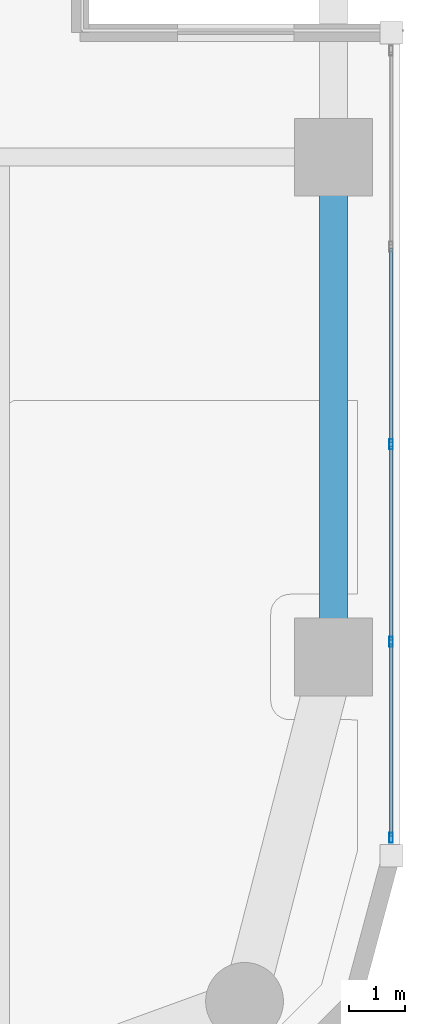
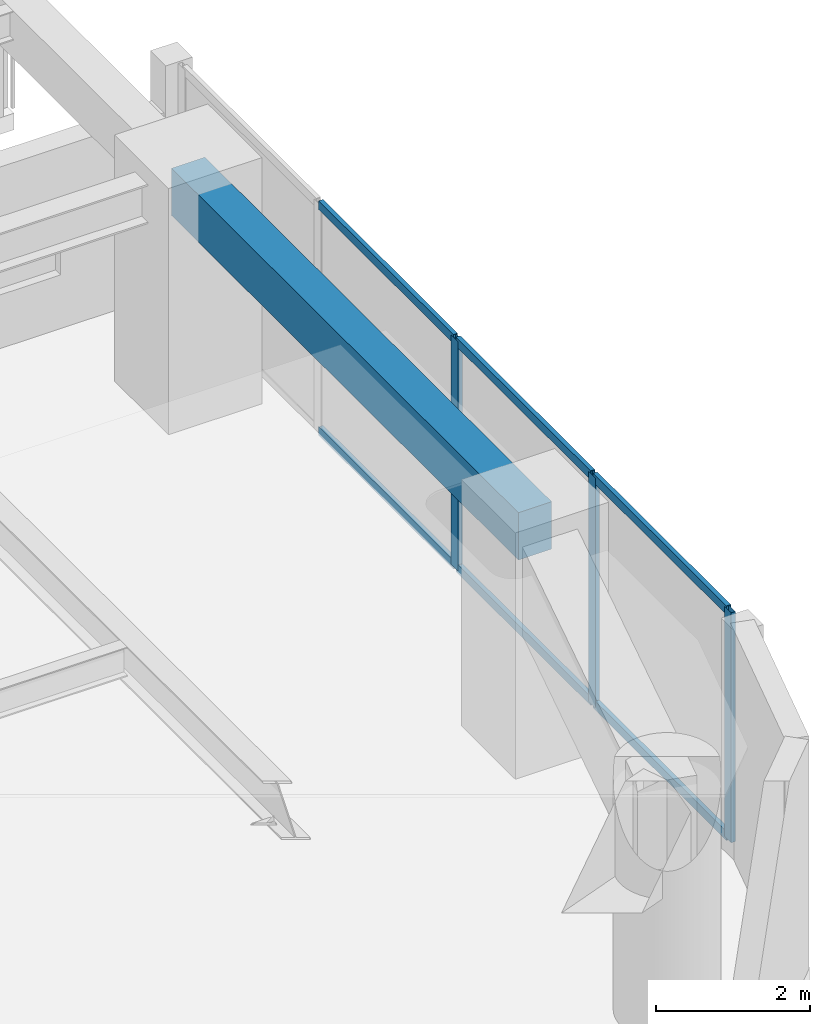
# One storey, part 4 of 24: 9 members, 1 beam, 1 element without a shape of its own.
"""IFC4 building model written with IfcOpenShell, lengths in metres."""

import ifcopenshell
import ifcopenshell.guid

model = None  # the IFC model being written
_history = None  # IfcOwnerHistory: only IFC2X3 demands one
_inside = {}  # id of a spatial element -> (the spatial element, [elements in it])
_under = {}  # id of a project, library or spatial element -> (it, [spatial elements below it])
_declared = {}  # id of a project -> (the project, [libraries it declares])
_typed = {}  # id of a type object -> (the type object, [elements of that type])
_made_of = {}  # id of a material, layer set ... -> (it, [elements and type objects made of it])


def new_model(schema):
    """Start an empty IFC model of exactly this schema.

    Asked for "IFC4X3", IfcOpenShell would pick the latest addendum, in which some entities
    have other attributes; the version numbers below select the first issue.
    IFC2X3 requires an IfcOwnerHistory on every rooted entity: one is made here for all.
    """
    global model, _history
    if schema == "IFC4X3":
        model = ifcopenshell.file(schema_version=(4, 3, 0, 0))
    else:
        model = ifcopenshell.file(schema=schema)
    _inside.clear()
    _under.clear()
    _declared.clear()
    _typed.clear()
    _made_of.clear()
    _history = None
    if model.schema == "IFC2X3":
        org = make("IfcOrganization", Name="unknown")
        user = make(
            "IfcPersonAndOrganization",
            ThePerson=make("IfcPerson", FamilyName="unknown"),
            TheOrganization=org,
        )
        app = make(
            "IfcApplication",
            ApplicationDeveloper=org,
            Version="unknown",
            ApplicationFullName="unknown",
            ApplicationIdentifier="unknown",
        )
        _history = make(
            "IfcOwnerHistory",
            OwningUser=user,
            OwningApplication=app,
            ChangeAction="ADDED",
            CreationDate=0,
        )
    return model


def make(cls, **values):
    """One entity of the class cls with the attributes given. An attribute that is None is left unset."""
    return model.create_entity(
        cls, **{name: value for name, value in values.items() if value is not None}
    )


def rooted(cls, **values):
    """An entity with a GlobalId (a new one), such as an element, a storey or a relation."""
    return make(cls, GlobalId=ifcopenshell.guid.new(), OwnerHistory=_history, **values)


def si_unit(unit_type, name, prefix=None):
    """IfcSIUnit, for example si_unit("LENGTHUNIT", "METRE", prefix="MILLI")."""
    return make("IfcSIUnit", UnitType=unit_type, Prefix=prefix, Name=name)


def assignment(units):
    """IfcUnitAssignment: the units of a project."""
    return None if units is None else make("IfcUnitAssignment", Units=units)


def point(xyz):
    """IfcCartesianPoint."""
    return None if xyz is None else make("IfcCartesianPoint", Coordinates=xyz)


def direction(xyz):
    """IfcDirection."""
    return None if xyz is None else make("IfcDirection", DirectionRatios=xyz)


def frame(location, z_axis=None, x_axis=None):
    """IfcAxis2Placement3D, a coordinate frame: its origin and axes. An axis left out is left unset."""
    return make(
        "IfcAxis2Placement3D",
        Location=point(location),
        Axis=direction(z_axis),
        RefDirection=direction(x_axis),
    )


def frame_2d(location, x_axis=None):
    """IfcAxis2Placement2D, a coordinate frame in the plane: its origin and x axis."""
    return make(
        "IfcAxis2Placement2D", Location=point(location), RefDirection=direction(x_axis)
    )


def origin():
    """The frame at (0, 0, 0) with its axes left unset."""
    return frame((0.0, 0.0, 0.0))


def origin_2d():
    """The frame at (0, 0) in the plane with its x axis left unset."""
    return frame_2d((0.0, 0.0))


def place(relative_to, where):
    """IfcLocalPlacement: puts the frame where relative to a parent placement (None: the world)."""
    return make(
        "IfcLocalPlacement", PlacementRelTo=relative_to, RelativePlacement=where
    )


def context(
    kind, dimensions, precision=None, world=None, true_north=None, identifier=None
):
    """IfcGeometricRepresentationContext, for example the 3D "Model" context."""
    return make(
        "IfcGeometricRepresentationContext",
        ContextIdentifier=identifier,
        ContextType=kind,
        CoordinateSpaceDimension=dimensions,
        Precision=precision,
        WorldCoordinateSystem=world,
        TrueNorth=true_north,
    )


def subcontext(parent, identifier, kind, view, scale=None):
    """IfcGeometricRepresentationSubContext, for example "Body" below "Model"."""
    return make(
        "IfcGeometricRepresentationSubContext",
        ContextIdentifier=identifier,
        ContextType=kind,
        ParentContext=parent,
        TargetScale=scale,
        TargetView=view,
    )


def project(units=None, contexts=None):
    """IfcProject with its units and contexts."""
    return rooted(
        "IfcProject",
        Name="project",
        RepresentationContexts=contexts,
        UnitsInContext=assignment(units),
    )


def spatial(cls, under=None, at=None, **own):
    """A site, building, storey or space (cls), placed at a placement, below another one or the project."""
    s = rooted(cls, ObjectPlacement=at, **own)
    if under is not None:
        _under.setdefault(under.id(), (under, []))[1].append(s)
    return s


def profile(cls, at=None, kind="AREA", **sizes):
    """A parametric profile (cls). Its sizes go by their IFC names, for example OverallWidth=200.0."""
    return make(cls, ProfileType=kind, Position=at, **sizes)


def rectangle(**sizes):
    """IfcRectangleProfileDef."""
    return profile("IfcRectangleProfileDef", **sizes)


def hollow_rectangle(**sizes):
    """IfcRectangleHollowProfileDef."""
    return profile("IfcRectangleHollowProfileDef", **sizes)


def extrude(swept, where, along, depth):
    """IfcExtrudedAreaSolid: the profile swept, set in the frame where, extruded along a direction by depth."""
    return make(
        "IfcExtrudedAreaSolid",
        SweptArea=swept,
        Position=where,
        ExtrudedDirection=direction(along),
        Depth=depth,
    )


def shape(context_of_items, identifier, shape_type, items):
    """IfcShapeRepresentation: the items that make up one representation, for example the "Body"."""
    return make(
        "IfcShapeRepresentation",
        ContextOfItems=context_of_items,
        RepresentationIdentifier=identifier,
        RepresentationType=shape_type,
        Items=items,
    )


def material(Name=None, Category=None):
    """IfcMaterial."""
    return make("IfcMaterial", Name=Name, Category=Category)


def layer(
    of_material, thickness, ventilated=None, Name=None, Category=None, Priority=None
):
    """IfcMaterialLayer: one layer of a wall or slab, of a material (None: an air gap)."""
    return make(
        "IfcMaterialLayer",
        Material=of_material,
        LayerThickness=thickness,
        IsVentilated=ventilated,
        Name=Name,
        Category=Category,
        Priority=Priority,
    )


def layer_set(layers, Name=None):
    """IfcMaterialLayerSet."""
    return make("IfcMaterialLayerSet", MaterialLayers=layers, LayerSetName=Name)


def material_profile(
    of_material, cross_section, Name=None, Category=None, Priority=None
):
    """IfcMaterialProfile: a cross section and its material."""
    return make(
        "IfcMaterialProfile",
        Name=Name,
        Material=of_material,
        Profile=cross_section,
        Priority=Priority,
        Category=Category,
    )


def profile_set(profiles, Name=None, composite=None):
    """IfcMaterialProfileSet."""
    return make(
        "IfcMaterialProfileSet",
        Name=Name,
        MaterialProfiles=profiles,
        CompositeProfile=composite,
    )


def made_of(thing, what):
    """Note that an element or type object is made of a material, layer set ...; save() writes the relation."""
    if what is not None:
        _made_of.setdefault(what.id(), (what, []))[1].append(thing)
    return thing


def type_object(cls, material=None, **own):
    """A type object (cls), such as IfcWallType, which elements share."""
    return made_of(rooted(cls, **own), material)


def element(
    cls,
    number,
    at=None,
    inside=None,
    cuts=None,
    type_object=None,
    material=None,
    context=None,
    identifier="Body",
    shape_type=None,
    held_by="IfcProductDefinitionShape",
    body=None,
    shapes=None,
    **own,
):
    """One element of the class cls, such as IfcWall. Its Tag is "e" and its number.

    at: its placement. inside: the storey or other place that contains it. cuts: it is an
    opening in that element (IfcRelVoidsElement). A single representation is given by context,
    identifier, shape_type and body (its items); several are given by shapes. held_by: the class
    of the entity that holds the representations. save() writes the other relations.
    """
    e = rooted(cls, Tag="e%d" % number, ObjectPlacement=at, **own)
    if body is not None:
        shapes = [shape(context, identifier, shape_type, body)]
    if shapes is not None:
        e.Representation = make(held_by, Representations=shapes)
    if inside is not None:
        _inside.setdefault(inside.id(), (inside, []))[1].append(e)
    if cuts is not None:
        rooted(
            "IfcRelVoidsElement", RelatingBuildingElement=cuts, RelatedOpeningElement=e
        )
    if type_object is not None:
        _typed.setdefault(type_object.id(), (type_object, []))[1].append(e)
    return made_of(e, material)


def aggregate(whole, parts):
    """IfcRelAggregates: a whole, such as a stair, and the parts it consists of."""
    return rooted("IfcRelAggregates", RelatingObject=whole, RelatedObjects=parts)


def save(model, path):
    """Write the relations noted so far, then the file.

    IfcRelAggregates (storeys below a building ...), IfcRelContainedInSpatialStructure (elements
    in a storey), IfcRelDefinesByType, IfcRelAssociatesMaterial and IfcRelDeclares: one each for
    every whole, place, type object, material and project.
    """
    for whole, parts in _under.values():
        aggregate(whole, parts)
    for where, things in _inside.values():
        rooted(
            "IfcRelContainedInSpatialStructure",
            RelatedElements=things,
            RelatingStructure=where,
        )
    for kind, things in _typed.values():
        rooted("IfcRelDefinesByType", RelatedObjects=things, RelatingType=kind)
    for what, things in _made_of.values():
        rooted("IfcRelAssociatesMaterial", RelatedObjects=things, RelatingMaterial=what)
    for by, libraries in _declared.values():
        rooted("IfcRelDeclares", RelatingContext=by, RelatedDefinitions=libraries)
    model.write(path)


model = new_model("IFC4")

# Units and contexts
model_context = context("Model", 3, precision=1e-05, world=origin(), true_north=direction((0.0, 1.0)))
body_context = subcontext(model_context, "Body", "Model", "MODEL_VIEW")
ifc_project = project(units=[si_unit("LENGTHUNIT", "METRE"), si_unit("AREAUNIT", "SQUARE_METRE"), si_unit("VOLUMEUNIT", "CUBIC_METRE"), si_unit("PLANEANGLEUNIT", "RADIAN"), si_unit("MASSUNIT", "GRAM", prefix="KILO")], contexts=[model_context])

# Site, building, storey
site_placement = place(None, origin())
site = spatial("IfcSite", under=ifc_project, at=site_placement, CompositionType="ELEMENT")
building_placement = place(site_placement, origin())
building = spatial("IfcBuilding", under=site, at=building_placement, Name="Kiyonajd Concourse Tower", CompositionType="ELEMENT")
storey_placement = place(building_placement, frame((0.0, 0.0, 129.89990234375)))
storey = spatial("IfcBuildingStorey", under=building, at=storey_placement, Name="L33", CompositionType="ELEMENT", Elevation=129.89990234375)

# Beam
ifc_material_1 = material(Name="Precast concrete C50/60", Category="concrete")
ifc_material_profile_1 = material_profile(ifc_material_1, rectangle(XDim=0.5, YDim=0.75, at=origin_2d()), Name="RCBM-500x750")
ifc_profile_set_1 = profile_set([ifc_material_profile_1], Name="Precast concrete C50/60")
beam_type = type_object("IfcBeamType", Name="BM-SPAN-RC", PredefinedType="SPANDREL", material=ifc_profile_set_1)
beam_placement = place(storey_placement, frame((69.60009765625, 18.60009765625, 3.26513671875), z_axis=(0.0, 1.0, 0.0), x_axis=(-1.0, 0.0, 0.0)))
element("IfcBeam", 1, at=beam_placement, inside=storey, type_object=beam_type, Name="L33 Perimeter Bundled Tube Spandrel", PredefinedType="SPANDREL", context=body_context, shape_type="SweptSolid", body=[
    extrude(rectangle(XDim=0.5, YDim=0.75, at=origin_2d()), origin(), (0.0, 0.0, 1.0), 9.0),
])

# Curtain wall, members
ifc_material_2 = material(Name="Thermally Broken Anodised Aluminium", Category="aluminium")
ifc_layer = layer(ifc_material_2, 0.179931640625)
ifc_layer_set = layer_set([ifc_layer], Name="Thermally Broken Anodised Aluminium")
curtain_wall_type = type_object("IfcCurtainWallType", Name="CW-SYS-03", PredefinedType="NOTDEFINED", material=ifc_layer_set)
curtain_wall_placement = place(storey_placement, origin())
curtain_wall = element("IfcCurtainWall", 2, at=curtain_wall_placement, inside=storey, type_object=curtain_wall_type, Name="L33 Unitised Curtain Wall CW3", PredefinedType="NOTDEFINED")
ifc_material_profile_2 = material_profile(ifc_material_2, hollow_rectangle(XDim=0.06494140625, YDim=0.179931640625, WallThickness=0.00390625, at=origin_2d()), Name="MULL-65x180")
ifc_profile_set_2 = profile_set([ifc_material_profile_2], Name="Thermally Broken Anodised Aluminium")
member_type_1 = type_object("IfcMemberType", Name="MB-CW-MULL1", PredefinedType="MULLION", material=ifc_profile_set_2)
member_1_placement = place(storey_placement, frame((70.639892578125, 22.4306640625, 0.0), z_axis=(0.0, 0.0, 1.0), x_axis=(1.0, 0.0, 0.0)))
member_1 = element("IfcMember", 3, at=member_1_placement, type_object=member_type_1, Name="CW3 mullion 3", PredefinedType="MULLION", context=body_context, shape_type="SweptSolid", body=[
    extrude(hollow_rectangle(XDim=0.06494140625, YDim=0.179931640625, WallThickness=0.00390625, at=origin_2d()), origin(), (0.0, 0.0, 1.0), 3.64013671875),
])
member_2_placement = place(storey_placement, frame((70.639892578125, 18.870849609375, 0.0), z_axis=(0.0, 0.0, 1.0), x_axis=(1.0, 0.0, 0.0)))
member_2 = element("IfcMember", 4, at=member_2_placement, type_object=member_type_1, Name="CW3 mullion 4", PredefinedType="MULLION", context=body_context, shape_type="SweptSolid", body=[
    extrude(hollow_rectangle(XDim=0.06494140625, YDim=0.179931640625, WallThickness=0.00390625, at=origin_2d()), origin(), (0.0, 0.0, 1.0), 3.64013671875),
])
member_3_placement = place(storey_placement, frame((70.639892578125, 15.343505859375, 0.0), z_axis=(0.0, 0.0, 1.0), x_axis=(1.0, 0.0, 0.0)))
member_3 = element("IfcMember", 5, at=member_3_placement, type_object=member_type_1, Name="CW3 mullion 5", PredefinedType="MULLION", context=body_context, shape_type="SweptSolid", body=[
    extrude(hollow_rectangle(XDim=0.06494140625, YDim=0.179931640625, WallThickness=0.00390625, at=origin_2d()), origin(), (0.0, 0.0, 1.0), 3.64013671875),
])
ifc_material_profile_3 = material_profile(ifc_material_2, hollow_rectangle(XDim=0.06494140625, YDim=0.139892578125, WallThickness=0.00390625, at=origin_2d()), Name="TRAN-65x140")
ifc_profile_set_3 = profile_set([ifc_material_profile_3], Name="Thermally Broken Anodised Aluminium")
member_type_2 = type_object("IfcMemberType", Name="MB-CW-TRAN1", PredefinedType="USERDEFINED", material=ifc_profile_set_3)
member_4_placement = place(storey_placement, frame((70.639892578125, 25.957763671875, 0.03271484375), z_axis=(0.0, -1.0, 0.0), x_axis=(1.0, 0.0, 0.0)))
member_4 = element("IfcMember", 6, at=member_4_placement, type_object=member_type_2, Name="CW3 transom 2.1", ObjectType="TRANSOM", PredefinedType="USERDEFINED", context=body_context, shape_type="SweptSolid", body=[
    extrude(hollow_rectangle(XDim=0.06494140625, YDim=0.139892578125, WallThickness=0.00390625, at=origin_2d()), origin(), (0.0, 0.0, 1.0), 3.49462890625),
])
member_5_placement = place(storey_placement, frame((70.639892578125, 25.957763671875, 3.607666015625), z_axis=(0.0, -1.0, 0.0), x_axis=(1.0, 0.0, 0.0)))
member_5 = element("IfcMember", 7, at=member_5_placement, type_object=member_type_2, Name="CW3 transom 2.2", ObjectType="TRANSOM", PredefinedType="USERDEFINED", context=body_context, shape_type="SweptSolid", body=[
    extrude(hollow_rectangle(XDim=0.06494140625, YDim=0.139892578125, WallThickness=0.00390625, at=origin_2d()), origin(), (0.0, 0.0, 1.0), 3.49462890625),
])
member_6_placement = place(storey_placement, frame((70.639892578125, 22.39794921875, 0.03271484375), z_axis=(0.0, -1.0, 0.0), x_axis=(1.0, 0.0, 0.0)))
member_6 = element("IfcMember", 8, at=member_6_placement, type_object=member_type_2, Name="CW3 transom 3.1", ObjectType="TRANSOM", PredefinedType="USERDEFINED", context=body_context, shape_type="SweptSolid", body=[
    extrude(hollow_rectangle(XDim=0.06494140625, YDim=0.139892578125, WallThickness=0.00390625, at=origin_2d()), origin(), (0.0, 0.0, 1.0), 3.49462890625),
])
member_7_placement = place(storey_placement, frame((70.639892578125, 22.39794921875, 3.607666015625), z_axis=(0.0, -1.0, 0.0), x_axis=(1.0, 0.0, 0.0)))
member_7 = element("IfcMember", 9, at=member_7_placement, type_object=member_type_2, Name="CW3 transom 3.2", ObjectType="TRANSOM", PredefinedType="USERDEFINED", context=body_context, shape_type="SweptSolid", body=[
    extrude(hollow_rectangle(XDim=0.06494140625, YDim=0.139892578125, WallThickness=0.00390625, at=origin_2d()), origin(), (0.0, 0.0, 1.0), 3.49462890625),
])
member_8_placement = place(storey_placement, frame((70.639892578125, 18.83837890625, 0.03271484375), z_axis=(0.0, -1.0, 0.0), x_axis=(1.0, 0.0, 0.0)))
member_8 = element("IfcMember", 10, at=member_8_placement, type_object=member_type_2, Name="CW3 transom 4.1", ObjectType="TRANSOM", PredefinedType="USERDEFINED", context=body_context, shape_type="SweptSolid", body=[
    extrude(hollow_rectangle(XDim=0.06494140625, YDim=0.139892578125, WallThickness=0.00390625, at=origin_2d()), origin(), (0.0, 0.0, 1.0), 3.462158203125),
])
member_9_placement = place(storey_placement, frame((70.639892578125, 18.83837890625, 3.607666015625), z_axis=(0.0, -1.0, 0.0), x_axis=(1.0, 0.0, 0.0)))
member_9 = element("IfcMember", 11, at=member_9_placement, type_object=member_type_2, Name="CW3 transom 4.2", ObjectType="TRANSOM", PredefinedType="USERDEFINED", context=body_context, shape_type="SweptSolid", body=[
    extrude(hollow_rectangle(XDim=0.06494140625, YDim=0.139892578125, WallThickness=0.00390625, at=origin_2d()), origin(), (0.0, 0.0, 1.0), 3.462158203125),
])
aggregate(curtain_wall, [member_1, member_2, member_3, member_4, member_5, member_6, member_7, member_8, member_9])

save(model, "model.ifc")
